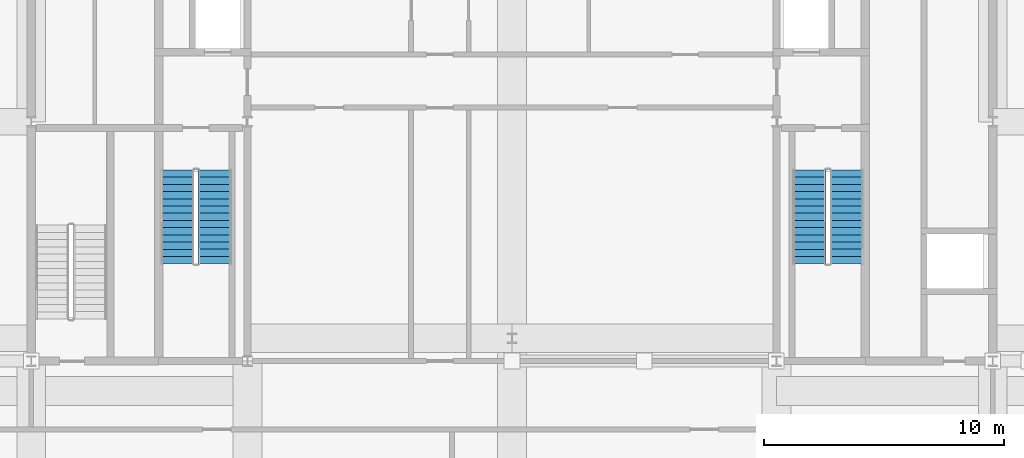
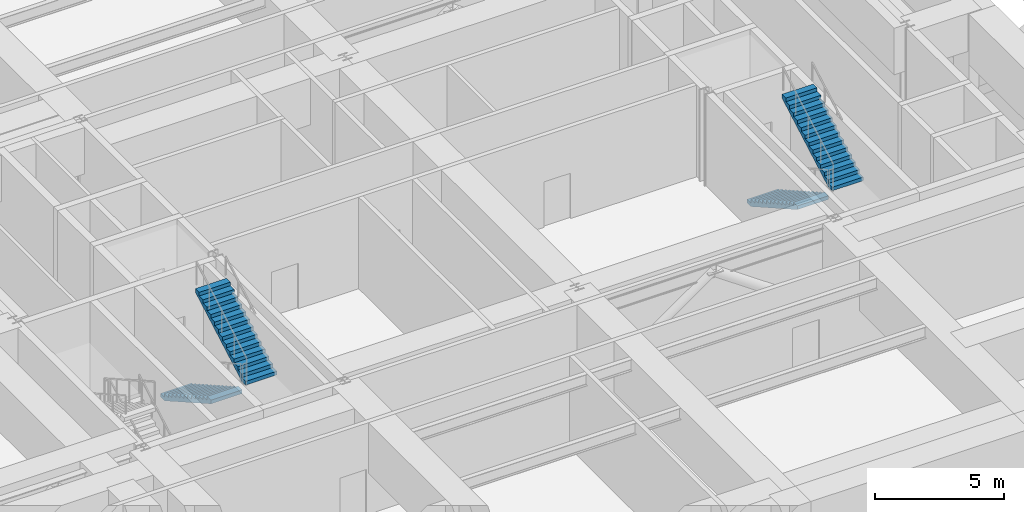
# One storey, part 6 of 10: 4 stair flights, 2 elements without a shape of their own.
"""IFC4 building model written with IfcOpenShell, lengths in metres."""

from ifc_helpers import new_model, si_unit, direction, frame, origin, place, context, subcontext, project, spatial, polyline, outline, extrude, material, layer, layer_set, type_object, element, aggregate, save


model = new_model("IFC4")

# Units and contexts
model_context = context("Model", 3, precision=1e-05, world=origin(), true_north=direction((0.0, 1.0)))
body_context = subcontext(model_context, "Body", "Model", "MODEL_VIEW")
ifc_project = project(units=[si_unit("LENGTHUNIT", "METRE"), si_unit("AREAUNIT", "SQUARE_METRE"), si_unit("VOLUMEUNIT", "CUBIC_METRE"), si_unit("PLANEANGLEUNIT", "RADIAN"), si_unit("MASSUNIT", "GRAM", prefix="KILO")], contexts=[model_context])

# Site, building, storey
site_placement = place(None, origin())
site = spatial("IfcSite", under=ifc_project, at=site_placement, CompositionType="ELEMENT")
building_placement = place(site_placement, origin())
building = spatial("IfcBuilding", under=site, at=building_placement, Name="Zulmaris Gate Convention Tower", CompositionType="ELEMENT")
storey_placement = place(building_placement, frame((0.0, 0.0, 153.47998046875)))
storey = spatial("IfcBuildingStorey", under=building, at=storey_placement, Name="L39", CompositionType="ELEMENT", Elevation=153.47998046875)

# Stair, stair flights
ifc_material = material(Name="Concrete C45/55", Category="concrete")
stair_type = type_object("IfcStairType", Name="ST-CORE-DOGLEG", PredefinedType="HALF_TURN_STAIR", material=ifc_material)
stair_1_placement = place(storey_placement, origin())
stair_1 = element("IfcStair", 1, at=stair_1_placement, inside=storey, type_object=stair_type, Name="L39 Core Exit Stair ST-1", PredefinedType="HALF_TURN_STAIR")
ifc_layer = layer(ifc_material, 0.14990234375, Name="Concrete C45/55")
ifc_layer_set = layer_set([ifc_layer], Name="Concrete C45/55")
stair_flight_type = type_object("IfcStairFlightType", Name="STF-RC150", PredefinedType="STRAIGHT", material=ifc_layer_set)
stair_flight_1_placement = place(storey_placement, frame((-13.919921875, -2.0, 0.0), z_axis=(0.0, 0.0, 1.0), x_axis=(0.0, -1.0, 0.0)))
stair_flight_1 = element("IfcStairFlight", 2, at=stair_flight_1_placement, type_object=stair_flight_type, Name="ST-1 flight 1", NumberOfRisers=14, NumberOfTreads=13, PredefinedType="STRAIGHT", RiserHeight=0.169989286, TreadLength=0.3, context=body_context, shape_type="SweptSolid", body=[
    extrude(outline(polyline([(0.0, 0.0), (0.0, 0.169921875), (0.300048828125, 0.169921875), (0.300048828125, 0.340087890625), (0.60009765625, 0.340087890625), (0.60009765625, 0.510009765625), (0.89990234375, 0.510009765625), (0.89990234375, 0.679931640625), (1.199951171875, 0.679931640625), (1.199951171875, 0.849853515625), (1.5, 0.849853515625), (1.5, 1.02001953125), (1.800048828125, 1.02001953125), (1.800048828125, 1.18994140625), (2.10009765625, 1.18994140625), (2.10009765625, 1.35986328125), (2.39990234375, 1.35986328125), (2.39990234375, 1.52978515625), (2.699951171875, 1.52978515625), (2.699951171875, 1.699951171875), (3.0, 1.699951171875), (3.0, 1.869873046875), (3.300048828125, 1.869873046875), (3.300048828125, 2.039794921875), (3.60009765625, 2.039794921875), (3.60009765625, 2.2099609375), (3.89990234375, 2.2099609375), (3.89990234375, 2.3798828125), (3.89990234375, 2.03759765625), (0.303955078125, 0.0), (0.0, 0.0)])), frame((0.0, 0.699951171875, 0.0), z_axis=(0.0, -1.0, 0.0), x_axis=(1.0, 0.0, 0.0)), (0.0, 0.0, 1.0), 1.39990234375),
])
stair_flight_2_placement = place(storey_placement, frame((-12.360107421875, -5.89990234375, 2.3798828125), z_axis=(0.0, 0.0, 1.0), x_axis=(0.0, 1.0, 0.0)))
stair_flight_2 = element("IfcStairFlight", 3, at=stair_flight_2_placement, type_object=stair_flight_type, Name="ST-1 flight 2", NumberOfRisers=14, NumberOfTreads=13, PredefinedType="STRAIGHT", RiserHeight=0.169989286, TreadLength=0.3, context=body_context, shape_type="SweptSolid", body=[
    extrude(outline(polyline([(0.0, 0.0), (0.0, 0.169921875), (0.300048828125, 0.169921875), (0.300048828125, 0.340087890625), (0.60009765625, 0.340087890625), (0.60009765625, 0.510009765625), (0.89990234375, 0.510009765625), (0.89990234375, 0.679931640625), (1.199951171875, 0.679931640625), (1.199951171875, 0.849853515625), (1.5, 0.849853515625), (1.5, 1.02001953125), (1.800048828125, 1.02001953125), (1.800048828125, 1.18994140625), (2.10009765625, 1.18994140625), (2.10009765625, 1.35986328125), (2.39990234375, 1.35986328125), (2.39990234375, 1.52978515625), (2.699951171875, 1.52978515625), (2.699951171875, 1.699951171875), (3.0, 1.699951171875), (3.0, 1.869873046875), (3.300048828125, 1.869873046875), (3.300048828125, 2.039794921875), (3.60009765625, 2.039794921875), (3.60009765625, 2.2099609375), (3.89990234375, 2.2099609375), (3.89990234375, 2.3798828125), (3.89990234375, 2.03759765625), (0.303955078125, 0.0), (0.0, 0.0)])), frame((0.0, 0.699951171875, 0.0), z_axis=(0.0, -1.0, 0.0), x_axis=(1.0, 0.0, 0.0)), (0.0, 0.0, 1.0), 1.39990234375),
])
aggregate(stair_1, [stair_flight_1, stair_flight_2])

stair_2_placement = place(storey_placement, origin())
stair_2 = element("IfcStair", 4, at=stair_2_placement, inside=storey, type_object=stair_type, Name="L39 Core Exit Stair ST-2", PredefinedType="HALF_TURN_STAIR")
stair_flight_3_placement = place(storey_placement, frame((12.360107421875, -2.0, 0.0), z_axis=(0.0, 0.0, 1.0), x_axis=(0.0, -1.0, 0.0)))
stair_flight_3 = element("IfcStairFlight", 5, at=stair_flight_3_placement, type_object=stair_flight_type, Name="ST-2 flight 1", NumberOfRisers=14, NumberOfTreads=13, PredefinedType="STRAIGHT", RiserHeight=0.169989286, TreadLength=0.3, context=body_context, shape_type="SweptSolid", body=[
    extrude(outline(polyline([(0.0, 0.0), (0.0, 0.169921875), (0.300048828125, 0.169921875), (0.300048828125, 0.340087890625), (0.60009765625, 0.340087890625), (0.60009765625, 0.510009765625), (0.89990234375, 0.510009765625), (0.89990234375, 0.679931640625), (1.199951171875, 0.679931640625), (1.199951171875, 0.849853515625), (1.5, 0.849853515625), (1.5, 1.02001953125), (1.800048828125, 1.02001953125), (1.800048828125, 1.18994140625), (2.10009765625, 1.18994140625), (2.10009765625, 1.35986328125), (2.39990234375, 1.35986328125), (2.39990234375, 1.52978515625), (2.699951171875, 1.52978515625), (2.699951171875, 1.699951171875), (3.0, 1.699951171875), (3.0, 1.869873046875), (3.300048828125, 1.869873046875), (3.300048828125, 2.039794921875), (3.60009765625, 2.039794921875), (3.60009765625, 2.2099609375), (3.89990234375, 2.2099609375), (3.89990234375, 2.3798828125), (3.89990234375, 2.03759765625), (0.303955078125, 0.0), (0.0, 0.0)])), frame((0.0, 0.699951171875, 0.0), z_axis=(0.0, -1.0, 0.0), x_axis=(1.0, 0.0, 0.0)), (0.0, 0.0, 1.0), 1.39990234375),
])
stair_flight_4_placement = place(storey_placement, frame((13.919921875, -5.89990234375, 2.3798828125), z_axis=(0.0, 0.0, 1.0), x_axis=(0.0, 1.0, 0.0)))
stair_flight_4 = element("IfcStairFlight", 6, at=stair_flight_4_placement, type_object=stair_flight_type, Name="ST-2 flight 2", NumberOfRisers=14, NumberOfTreads=13, PredefinedType="STRAIGHT", RiserHeight=0.169989286, TreadLength=0.3, context=body_context, shape_type="SweptSolid", body=[
    extrude(outline(polyline([(0.0, 0.0), (0.0, 0.169921875), (0.300048828125, 0.169921875), (0.300048828125, 0.340087890625), (0.60009765625, 0.340087890625), (0.60009765625, 0.510009765625), (0.89990234375, 0.510009765625), (0.89990234375, 0.679931640625), (1.199951171875, 0.679931640625), (1.199951171875, 0.849853515625), (1.5, 0.849853515625), (1.5, 1.02001953125), (1.800048828125, 1.02001953125), (1.800048828125, 1.18994140625), (2.10009765625, 1.18994140625), (2.10009765625, 1.35986328125), (2.39990234375, 1.35986328125), (2.39990234375, 1.52978515625), (2.699951171875, 1.52978515625), (2.699951171875, 1.699951171875), (3.0, 1.699951171875), (3.0, 1.869873046875), (3.300048828125, 1.869873046875), (3.300048828125, 2.039794921875), (3.60009765625, 2.039794921875), (3.60009765625, 2.2099609375), (3.89990234375, 2.2099609375), (3.89990234375, 2.3798828125), (3.89990234375, 2.03759765625), (0.303955078125, 0.0), (0.0, 0.0)])), frame((0.0, 0.699951171875, 0.0), z_axis=(0.0, -1.0, 0.0), x_axis=(1.0, 0.0, 0.0)), (0.0, 0.0, 1.0), 1.39990234375),
])
aggregate(stair_2, [stair_flight_3, stair_flight_4])

save(model, "model.ifc")
